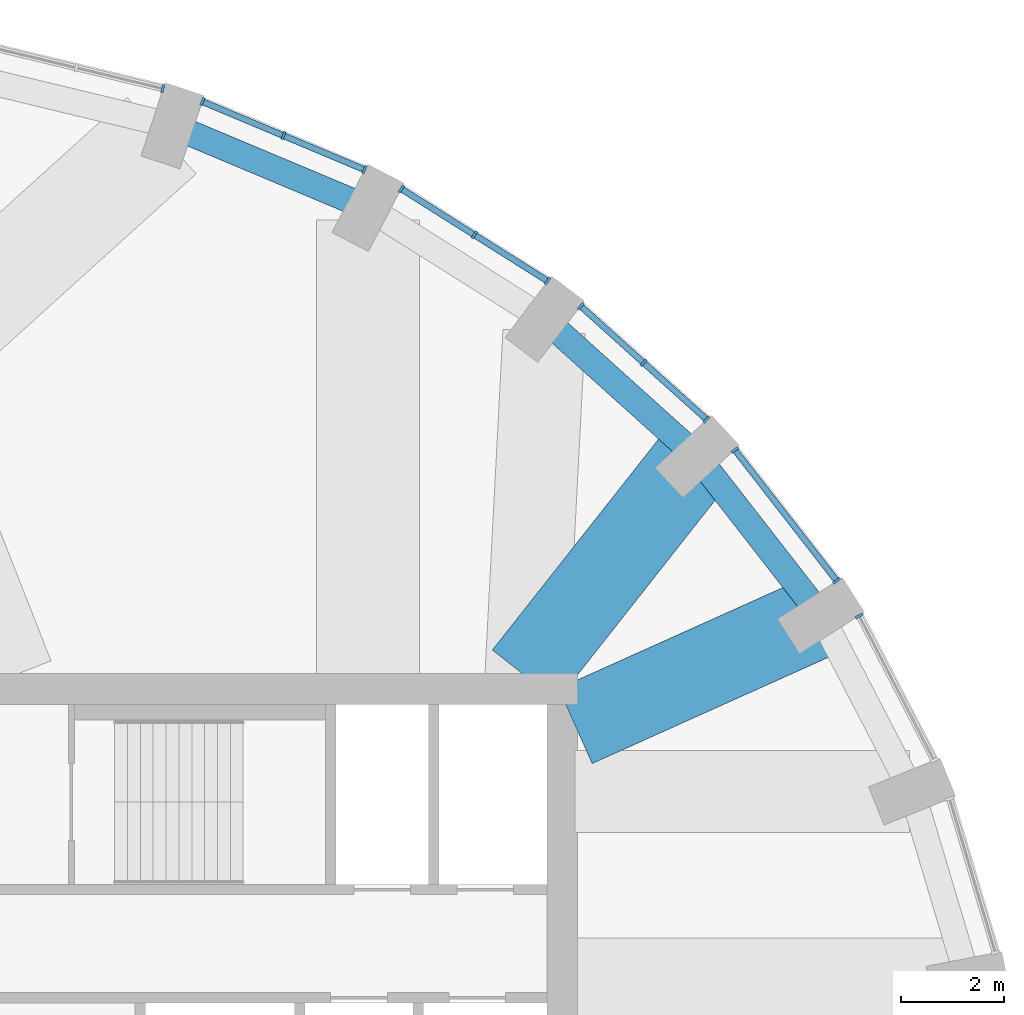
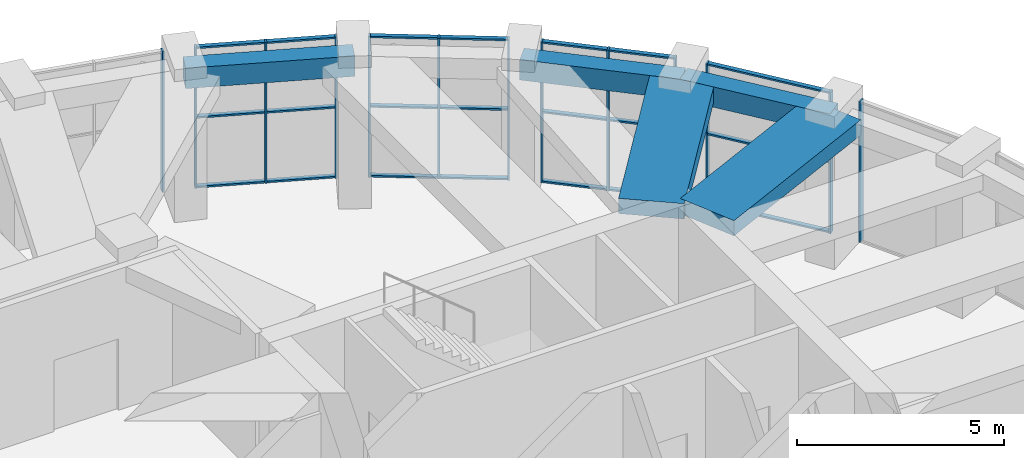
# One storey, part 10 of 17: 34 members, 5 beams, 6 elements without a shape of their own.
"""IFC4 building model written with IfcOpenShell, lengths in metres."""

from ifc_helpers import new_model, si_unit, direction, frame, origin, origin_2d, place, context, subcontext, project, spatial, rectangle, extrude, material, material_profile, profile_set, type_object, element, aggregate, save


model = new_model("IFC4")

# Units and contexts
model_context = context("Model", 3, precision=1e-05, world=origin(), true_north=direction((0.0, 1.0)))
body_context = subcontext(model_context, "Body", "Model", "MODEL_VIEW")
ifc_project = project(units=[si_unit("LENGTHUNIT", "METRE"), si_unit("AREAUNIT", "SQUARE_METRE"), si_unit("VOLUMEUNIT", "CUBIC_METRE"), si_unit("PLANEANGLEUNIT", "RADIAN"), si_unit("MASSUNIT", "GRAM", prefix="KILO")], contexts=[model_context])

# Site, building, storey
site_placement = place(None, origin())
site = spatial("IfcSite", under=ifc_project, at=site_placement, CompositionType="ELEMENT")
building_placement = place(site_placement, origin())
building = spatial("IfcBuilding", under=site, at=building_placement, Name="Taillehof Tower", CompositionType="ELEMENT")
storey_placement = place(building_placement, frame((0.0, 0.0, 259.699951171875)))
storey = spatial("IfcBuildingStorey", under=building, at=storey_placement, Name="L74", CompositionType="ELEMENT", Elevation=259.699951171875)

# Curtain wall, member
ifc_material_1 = material(Name="Aluminium curtain wall with Clear low-emissivity double glazing", Category="aluminium")
curtain_wall_type = type_object("IfcCurtainWallType", Name="Club lounge curtain wall", PredefinedType="USERDEFINED", material=ifc_material_1)
curtain_wall_1_placement = place(storey_placement, origin())
curtain_wall_1 = element("IfcCurtainWall", 1, at=curtain_wall_1_placement, inside=storey, type_object=curtain_wall_type, Name="Club lounge L74 bay 3", ObjectType="WINDOW WALL", PredefinedType="USERDEFINED")
ifc_material_2 = material(Name="Aluminium mullion", Category="aluminium")
ifc_material_profile_1 = material_profile(ifc_material_2, rectangle(XDim=0.159912109375, YDim=0.050048828125, at=origin_2d()), Name="AL 50x160")
ifc_profile_set_1 = profile_set([ifc_material_profile_1], Name="Aluminium mullion")
member_type_1 = type_object("IfcMemberType", Name="Club lounge mullion 50x160", PredefinedType="MULLION", material=ifc_profile_set_1)
member_1_placement = place(storey_placement, frame((21.470703125, 11.119140625, 0.0), z_axis=(0.0, 0.0, 1.0), x_axis=(-0.887975262702, -0.459891218474, 0.0)))
member_1 = element("IfcMember", 2, at=member_1_placement, type_object=member_type_1, Name="CT4E03 mullion 2", PredefinedType="MULLION", context=body_context, shape_type="SweptSolid", body=[
    extrude(rectangle(XDim=0.159912109375, YDim=0.050048828125, at=origin_2d()), origin(), (0.0, 0.0, 1.0), 4.150146484375),
])
aggregate(curtain_wall_1, [member_1])

# Curtain wall, members
curtain_wall_2_placement = place(storey_placement, origin())
curtain_wall_2 = element("IfcCurtainWall", 3, at=curtain_wall_2_placement, inside=storey, type_object=curtain_wall_type, Name="Club lounge L74 bay 4", ObjectType="WINDOW WALL", PredefinedType="USERDEFINED")
member_2_placement = place(storey_placement, frame((21.033935546875, 11.80126953125, 0.0), z_axis=(0.0, 0.0, 1.0), x_axis=(-0.789381612432, -0.613902818005, 0.0)))
member_2 = element("IfcMember", 4, at=member_2_placement, type_object=member_type_1, Name="CT4E04 mullion 1", PredefinedType="MULLION", context=body_context, shape_type="SweptSolid", body=[
    extrude(rectangle(XDim=0.159912109375, YDim=0.050048828125, at=origin_2d()), origin(), (0.0, 0.0, 1.0), 4.150146484375),
])
member_3_placement = place(storey_placement, frame((19.05615234375, 14.344482421875, 0.0), z_axis=(0.0, 0.0, 1.0), x_axis=(-0.789381612432, -0.613902818005, 0.0)))
member_3 = element("IfcMember", 5, at=member_3_placement, type_object=member_type_1, Name="CT4E04 mullion 2", PredefinedType="MULLION", context=body_context, shape_type="SweptSolid", body=[
    extrude(rectangle(XDim=0.159912109375, YDim=0.050048828125, at=origin_2d()), origin(), (0.0, 0.0, 1.0), 4.150146484375),
])

curtain_wall_3_placement = place(storey_placement, origin())
curtain_wall_3 = element("IfcCurtainWall", 6, at=curtain_wall_3_placement, inside=storey, type_object=curtain_wall_type, Name="Club lounge L74 bay 5", ObjectType="WINDOW WALL", PredefinedType="USERDEFINED")
member_4_placement = place(storey_placement, frame((18.50439453125, 14.937255859375, 0.0), z_axis=(0.0, 0.0, 1.0), x_axis=(-0.669107157872, -0.74316593792, 0.0)))
member_4 = element("IfcMember", 7, at=member_4_placement, type_object=member_type_1, Name="CT4E05 mullion 1", PredefinedType="MULLION", context=body_context, shape_type="SweptSolid", body=[
    extrude(rectangle(XDim=0.159912109375, YDim=0.050048828125, at=origin_2d()), origin(), (0.0, 0.0, 1.0), 4.150146484375),
])
member_5_placement = place(storey_placement, frame((17.281982421875, 16.0380859375, 0.0), z_axis=(0.0, 0.0, 1.0), x_axis=(-0.669107157872, -0.74316593792, 0.0)))
member_5 = element("IfcMember", 8, at=member_5_placement, type_object=member_type_1, Name="CT4E05 mullion 2", PredefinedType="MULLION", context=body_context, shape_type="SweptSolid", body=[
    extrude(rectangle(XDim=0.159912109375, YDim=0.050048828125, at=origin_2d()), origin(), (0.0, 0.0, 1.0), 4.150146484375),
])
member_6_placement = place(storey_placement, frame((16.0595703125, 17.138671875, 0.0), z_axis=(0.0, 0.0, 1.0), x_axis=(-0.669107157872, -0.74316593792, 0.0)))
member_6 = element("IfcMember", 9, at=member_6_placement, type_object=member_type_1, Name="CT4E05 mullion 3", PredefinedType="MULLION", context=body_context, shape_type="SweptSolid", body=[
    extrude(rectangle(XDim=0.159912109375, YDim=0.050048828125, at=origin_2d()), origin(), (0.0, 0.0, 1.0), 4.150146484375),
])

curtain_wall_4_placement = place(storey_placement, origin())
curtain_wall_4 = element("IfcCurtainWall", 10, at=curtain_wall_4_placement, inside=storey, type_object=curtain_wall_type, Name="Club lounge L74 bay 6", ObjectType="WINDOW WALL", PredefinedType="USERDEFINED")
member_7_placement = place(storey_placement, frame((15.41357421875, 17.62744140625, 0.0), z_axis=(0.0, 0.0, 1.0), x_axis=(-0.533294430468, -0.845929695916, 0.0)))
member_7 = element("IfcMember", 11, at=member_7_placement, type_object=member_type_1, Name="CT4E06 mullion 1", PredefinedType="MULLION", context=body_context, shape_type="SweptSolid", body=[
    extrude(rectangle(XDim=0.159912109375, YDim=0.050048828125, at=origin_2d()), origin(), (0.0, 0.0, 1.0), 4.150146484375),
])
member_8_placement = place(storey_placement, frame((13.99365234375, 18.5224609375, 0.0), z_axis=(0.0, 0.0, 1.0), x_axis=(-0.533294430468, -0.845929695916, 0.0)))
member_8 = element("IfcMember", 12, at=member_8_placement, type_object=member_type_1, Name="CT4E06 mullion 2", PredefinedType="MULLION", context=body_context, shape_type="SweptSolid", body=[
    extrude(rectangle(XDim=0.159912109375, YDim=0.050048828125, at=origin_2d()), origin(), (0.0, 0.0, 1.0), 4.150146484375),
])
member_9_placement = place(storey_placement, frame((12.57373046875, 19.417724609375, 0.0), z_axis=(0.0, 0.0, 1.0), x_axis=(-0.533294430468, -0.845929695916, 0.0)))
member_9 = element("IfcMember", 13, at=member_9_placement, type_object=member_type_1, Name="CT4E06 mullion 3", PredefinedType="MULLION", context=body_context, shape_type="SweptSolid", body=[
    extrude(rectangle(XDim=0.159912109375, YDim=0.050048828125, at=origin_2d()), origin(), (0.0, 0.0, 1.0), 4.150146484375),
])

curtain_wall_5_placement = place(storey_placement, origin())
curtain_wall_5 = element("IfcCurtainWall", 14, at=curtain_wall_5_placement, inside=storey, type_object=curtain_wall_type, Name="Club lounge L74 bay 7", ObjectType="WINDOW WALL", PredefinedType="USERDEFINED")
member_10_placement = place(storey_placement, frame((11.855224609375, 19.791748046875, 0.0), z_axis=(0.0, 0.0, 1.0), x_axis=(-0.387100713636, -0.922037438233, 0.0)))
member_10 = element("IfcMember", 15, at=member_10_placement, type_object=member_type_1, Name="CT4E07 mullion 1", PredefinedType="MULLION", context=body_context, shape_type="SweptSolid", body=[
    extrude(rectangle(XDim=0.159912109375, YDim=0.050048828125, at=origin_2d()), origin(), (0.0, 0.0, 1.0), 4.150146484375),
])
member_11_placement = place(storey_placement, frame((10.28076171875, 20.45263671875, 0.0), z_axis=(0.0, 0.0, 1.0), x_axis=(-0.387100713636, -0.922037438233, 0.0)))
member_11 = element("IfcMember", 16, at=member_11_placement, type_object=member_type_1, Name="CT4E07 mullion 2", PredefinedType="MULLION", context=body_context, shape_type="SweptSolid", body=[
    extrude(rectangle(XDim=0.159912109375, YDim=0.050048828125, at=origin_2d()), origin(), (0.0, 0.0, 1.0), 4.150146484375),
])
member_12_placement = place(storey_placement, frame((8.706298828125, 21.11376953125, 0.0), z_axis=(0.0, 0.0, 1.0), x_axis=(-0.387100713636, -0.922037438233, 0.0)))
member_12 = element("IfcMember", 17, at=member_12_placement, type_object=member_type_1, Name="CT4E07 mullion 3", PredefinedType="MULLION", context=body_context, shape_type="SweptSolid", body=[
    extrude(rectangle(XDim=0.159912109375, YDim=0.050048828125, at=origin_2d()), origin(), (0.0, 0.0, 1.0), 4.150146484375),
])

# Curtain wall, member
curtain_wall_6_placement = place(storey_placement, origin())
curtain_wall_6 = element("IfcCurtainWall", 18, at=curtain_wall_6_placement, inside=storey, type_object=curtain_wall_type, Name="Club lounge L74 bay 8", ObjectType="WINDOW WALL", PredefinedType="USERDEFINED")
member_13_placement = place(storey_placement, frame((7.9365234375, 21.366455078125, 0.0), z_axis=(0.0, 0.0, 1.0), x_axis=(-0.234514520129, -0.972112616855, 0.0)))
member_13 = element("IfcMember", 19, at=member_13_placement, type_object=member_type_1, Name="CT4E08 mullion 1", PredefinedType="MULLION", context=body_context, shape_type="SweptSolid", body=[
    extrude(rectangle(XDim=0.159912109375, YDim=0.050048828125, at=origin_2d()), origin(), (0.0, 0.0, 1.0), 4.150146484375),
])
aggregate(curtain_wall_6, [member_13])

# Member
ifc_material_3 = material(Name="Aluminium transom", Category="aluminium")
ifc_material_profile_2 = material_profile(ifc_material_3, rectangle(XDim=0.1201171875, YDim=0.050048828125, at=origin_2d()), Name="AL 120x50")
ifc_profile_set_2 = profile_set([ifc_material_profile_2], Name="Aluminium transom")
member_type_2 = type_object("IfcMemberType", Name="Club lounge transom 120x50", PredefinedType="USERDEFINED", material=ifc_profile_set_2)
member_14_placement = place(storey_placement, frame((21.0185546875, 11.821044921875, 0.025146484375), z_axis=(-0.613887320716, 0.789393664444, 0.0), x_axis=(-0.789393664444, -0.613887320716, 0.0)))
member_14 = element("IfcMember", 20, at=member_14_placement, type_object=member_type_2, Name="CT4E04 transom 1.1", ObjectType="TRANSOM", PredefinedType="USERDEFINED", context=body_context, shape_type="SweptSolid", body=[
    extrude(rectangle(XDim=0.1201171875, YDim=0.050048828125, at=origin_2d()), origin(), (0.0, 0.0, 1.0), 3.171630859375),
])

member_15_placement = place(storey_placement, frame((21.0185546875, 11.821044921875, 2.074951171875), z_axis=(-0.613887320716, 0.789393664444, 0.0), x_axis=(-0.789393664444, -0.613887320716, 0.0)))
member_15 = element("IfcMember", 21, at=member_15_placement, type_object=member_type_2, Name="CT4E04 transom 1.2", ObjectType="TRANSOM", PredefinedType="USERDEFINED", context=body_context, shape_type="SweptSolid", body=[
    extrude(rectangle(XDim=0.1201171875, YDim=0.050048828125, at=origin_2d()), origin(), (0.0, 0.0, 1.0), 3.171630859375),
])

member_16_placement = place(storey_placement, frame((21.0185546875, 11.821044921875, 4.125), z_axis=(-0.613887320716, 0.789393664444, 0.0), x_axis=(-0.789393664444, -0.613887320716, 0.0)))
member_16 = element("IfcMember", 22, at=member_16_placement, type_object=member_type_2, Name="CT4E04 transom 1.3", ObjectType="TRANSOM", PredefinedType="USERDEFINED", context=body_context, shape_type="SweptSolid", body=[
    extrude(rectangle(XDim=0.1201171875, YDim=0.050048828125, at=origin_2d()), origin(), (0.0, 0.0, 1.0), 3.171630859375),
])

aggregate(curtain_wall_2, [member_2, member_3, member_14, member_15, member_16])

member_17_placement = place(storey_placement, frame((18.48583984375, 14.9541015625, 0.025146484375), z_axis=(-0.743179963332, 0.669091579757, 0.0), x_axis=(-0.669091579757, -0.743179963332, 0.0)))
member_17 = element("IfcMember", 23, at=member_17_placement, type_object=member_type_2, Name="CT4E05 transom 1.1", ObjectType="TRANSOM", PredefinedType="USERDEFINED", context=body_context, shape_type="SweptSolid", body=[
    extrude(rectangle(XDim=0.1201171875, YDim=0.050048828125, at=origin_2d()), origin(), (0.0, 0.0, 1.0), 1.594970703125),
])

member_18_placement = place(storey_placement, frame((18.48583984375, 14.9541015625, 2.074951171875), z_axis=(-0.743179963332, 0.669091579757, 0.0), x_axis=(-0.669091579757, -0.743179963332, 0.0)))
member_18 = element("IfcMember", 24, at=member_18_placement, type_object=member_type_2, Name="CT4E05 transom 1.2", ObjectType="TRANSOM", PredefinedType="USERDEFINED", context=body_context, shape_type="SweptSolid", body=[
    extrude(rectangle(XDim=0.1201171875, YDim=0.050048828125, at=origin_2d()), origin(), (0.0, 0.0, 1.0), 1.594970703125),
])

member_19_placement = place(storey_placement, frame((18.48583984375, 14.9541015625, 4.125), z_axis=(-0.743179963332, 0.669091579757, 0.0), x_axis=(-0.669091579757, -0.743179963332, 0.0)))
member_19 = element("IfcMember", 25, at=member_19_placement, type_object=member_type_2, Name="CT4E05 transom 1.3", ObjectType="TRANSOM", PredefinedType="USERDEFINED", context=body_context, shape_type="SweptSolid", body=[
    extrude(rectangle(XDim=0.1201171875, YDim=0.050048828125, at=origin_2d()), origin(), (0.0, 0.0, 1.0), 1.594970703125),
])

member_20_placement = place(storey_placement, frame((17.263427734375, 16.0546875, 0.025146484375), z_axis=(-0.743179963332, 0.669091579757, 0.0), x_axis=(-0.669091579757, -0.743179963332, 0.0)))
member_20 = element("IfcMember", 26, at=member_20_placement, type_object=member_type_2, Name="CT4E05 transom 2.1", ObjectType="TRANSOM", PredefinedType="USERDEFINED", context=body_context, shape_type="SweptSolid", body=[
    extrude(rectangle(XDim=0.1201171875, YDim=0.050048828125, at=origin_2d()), origin(), (0.0, 0.0, 1.0), 1.594970703125),
])

member_21_placement = place(storey_placement, frame((17.263427734375, 16.0546875, 2.074951171875), z_axis=(-0.743179963332, 0.669091579757, 0.0), x_axis=(-0.669091579757, -0.743179963332, 0.0)))
member_21 = element("IfcMember", 27, at=member_21_placement, type_object=member_type_2, Name="CT4E05 transom 2.2", ObjectType="TRANSOM", PredefinedType="USERDEFINED", context=body_context, shape_type="SweptSolid", body=[
    extrude(rectangle(XDim=0.1201171875, YDim=0.050048828125, at=origin_2d()), origin(), (0.0, 0.0, 1.0), 1.594970703125),
])

member_22_placement = place(storey_placement, frame((17.263427734375, 16.0546875, 4.125), z_axis=(-0.743179963332, 0.669091579757, 0.0), x_axis=(-0.669091579757, -0.743179963332, 0.0)))
member_22 = element("IfcMember", 28, at=member_22_placement, type_object=member_type_2, Name="CT4E05 transom 2.3", ObjectType="TRANSOM", PredefinedType="USERDEFINED", context=body_context, shape_type="SweptSolid", body=[
    extrude(rectangle(XDim=0.1201171875, YDim=0.050048828125, at=origin_2d()), origin(), (0.0, 0.0, 1.0), 1.594970703125),
])

aggregate(curtain_wall_3, [member_4, member_5, member_6, member_17, member_18, member_19, member_20, member_21, member_22])

member_23_placement = place(storey_placement, frame((15.392578125, 17.640625, 0.025146484375), z_axis=(-0.845894728647, 0.533349892704, 0.0), x_axis=(-0.533349892704, -0.845894728647, 0.0)))
member_23 = element("IfcMember", 29, at=member_23_placement, type_object=member_type_2, Name="CT4E06 transom 1.1", ObjectType="TRANSOM", PredefinedType="USERDEFINED", context=body_context, shape_type="SweptSolid", body=[
    extrude(rectangle(XDim=0.1201171875, YDim=0.050048828125, at=origin_2d()), origin(), (0.0, 0.0, 1.0), 1.628662109375),
])

member_24_placement = place(storey_placement, frame((15.392578125, 17.640625, 2.074951171875), z_axis=(-0.845894728647, 0.533349892704, 0.0), x_axis=(-0.533349892704, -0.845894728647, 0.0)))
member_24 = element("IfcMember", 30, at=member_24_placement, type_object=member_type_2, Name="CT4E06 transom 1.2", ObjectType="TRANSOM", PredefinedType="USERDEFINED", context=body_context, shape_type="SweptSolid", body=[
    extrude(rectangle(XDim=0.1201171875, YDim=0.050048828125, at=origin_2d()), origin(), (0.0, 0.0, 1.0), 1.628662109375),
])

member_25_placement = place(storey_placement, frame((15.392578125, 17.640625, 4.125), z_axis=(-0.845894728647, 0.533349892704, 0.0), x_axis=(-0.533349892704, -0.845894728647, 0.0)))
member_25 = element("IfcMember", 31, at=member_25_placement, type_object=member_type_2, Name="CT4E06 transom 1.3", ObjectType="TRANSOM", PredefinedType="USERDEFINED", context=body_context, shape_type="SweptSolid", body=[
    extrude(rectangle(XDim=0.1201171875, YDim=0.050048828125, at=origin_2d()), origin(), (0.0, 0.0, 1.0), 1.628662109375),
])

member_26_placement = place(storey_placement, frame((13.97265625, 18.535888671875, 0.025146484375), z_axis=(-0.845962356538, 0.533242619565, 0.0), x_axis=(-0.533242619565, -0.845962356538, 0.0)))
member_26 = element("IfcMember", 32, at=member_26_placement, type_object=member_type_2, Name="CT4E06 transom 2.1", ObjectType="TRANSOM", PredefinedType="USERDEFINED", context=body_context, shape_type="SweptSolid", body=[
    extrude(rectangle(XDim=0.1201171875, YDim=0.050048828125, at=origin_2d()), origin(), (0.0, 0.0, 1.0), 1.628662109375),
])

member_27_placement = place(storey_placement, frame((13.97265625, 18.535888671875, 2.074951171875), z_axis=(-0.845962356538, 0.533242619565, 0.0), x_axis=(-0.533242619565, -0.845962356538, 0.0)))
member_27 = element("IfcMember", 33, at=member_27_placement, type_object=member_type_2, Name="CT4E06 transom 2.2", ObjectType="TRANSOM", PredefinedType="USERDEFINED", context=body_context, shape_type="SweptSolid", body=[
    extrude(rectangle(XDim=0.1201171875, YDim=0.050048828125, at=origin_2d()), origin(), (0.0, 0.0, 1.0), 1.628662109375),
])

member_28_placement = place(storey_placement, frame((13.97265625, 18.535888671875, 4.125), z_axis=(-0.845962356538, 0.533242619565, 0.0), x_axis=(-0.533242619565, -0.845962356538, 0.0)))
member_28 = element("IfcMember", 34, at=member_28_placement, type_object=member_type_2, Name="CT4E06 transom 2.3", ObjectType="TRANSOM", PredefinedType="USERDEFINED", context=body_context, shape_type="SweptSolid", body=[
    extrude(rectangle(XDim=0.1201171875, YDim=0.050048828125, at=origin_2d()), origin(), (0.0, 0.0, 1.0), 1.628662109375),
])

aggregate(curtain_wall_4, [member_7, member_8, member_9, member_23, member_24, member_25, member_26, member_27, member_28])

member_29_placement = place(storey_placement, frame((11.832275390625, 19.80126953125, 0.025146484375), z_axis=(-0.922014699526, 0.387154870636, 0.0), x_axis=(-0.387154870636, -0.922014699526, 0.0)))
member_29 = element("IfcMember", 35, at=member_29_placement, type_object=member_type_2, Name="CT4E07 transom 1.1", ObjectType="TRANSOM", PredefinedType="USERDEFINED", context=body_context, shape_type="SweptSolid", body=[
    extrude(rectangle(XDim=0.1201171875, YDim=0.050048828125, at=origin_2d()), origin(), (0.0, 0.0, 1.0), 1.657958984375),
])

member_30_placement = place(storey_placement, frame((11.832275390625, 19.80126953125, 2.074951171875), z_axis=(-0.922014699526, 0.387154870636, 0.0), x_axis=(-0.387154870636, -0.922014699526, 0.0)))
member_30 = element("IfcMember", 36, at=member_30_placement, type_object=member_type_2, Name="CT4E07 transom 1.2", ObjectType="TRANSOM", PredefinedType="USERDEFINED", context=body_context, shape_type="SweptSolid", body=[
    extrude(rectangle(XDim=0.1201171875, YDim=0.050048828125, at=origin_2d()), origin(), (0.0, 0.0, 1.0), 1.657958984375),
])

member_31_placement = place(storey_placement, frame((11.832275390625, 19.80126953125, 4.125), z_axis=(-0.922014699526, 0.387154870636, 0.0), x_axis=(-0.387154870636, -0.922014699526, 0.0)))
member_31 = element("IfcMember", 37, at=member_31_placement, type_object=member_type_2, Name="CT4E07 transom 1.3", ObjectType="TRANSOM", PredefinedType="USERDEFINED", context=body_context, shape_type="SweptSolid", body=[
    extrude(rectangle(XDim=0.1201171875, YDim=0.050048828125, at=origin_2d()), origin(), (0.0, 0.0, 1.0), 1.657958984375),
])

member_32_placement = place(storey_placement, frame((10.2578125, 20.46240234375, 0.025146484375), z_axis=(-0.922067261449, 0.387029669875, 0.0), x_axis=(-0.387029669875, -0.922067261449, 0.0)))
member_32 = element("IfcMember", 38, at=member_32_placement, type_object=member_type_2, Name="CT4E07 transom 2.1", ObjectType="TRANSOM", PredefinedType="USERDEFINED", context=body_context, shape_type="SweptSolid", body=[
    extrude(rectangle(XDim=0.1201171875, YDim=0.050048828125, at=origin_2d()), origin(), (0.0, 0.0, 1.0), 1.65771484375),
])

member_33_placement = place(storey_placement, frame((10.2578125, 20.46240234375, 2.074951171875), z_axis=(-0.922067261449, 0.387029669875, 0.0), x_axis=(-0.387029669875, -0.922067261449, 0.0)))
member_33 = element("IfcMember", 39, at=member_33_placement, type_object=member_type_2, Name="CT4E07 transom 2.2", ObjectType="TRANSOM", PredefinedType="USERDEFINED", context=body_context, shape_type="SweptSolid", body=[
    extrude(rectangle(XDim=0.1201171875, YDim=0.050048828125, at=origin_2d()), origin(), (0.0, 0.0, 1.0), 1.65771484375),
])

member_34_placement = place(storey_placement, frame((10.2578125, 20.46240234375, 4.125), z_axis=(-0.922067261449, 0.387029669875, 0.0), x_axis=(-0.387029669875, -0.922067261449, 0.0)))
member_34 = element("IfcMember", 40, at=member_34_placement, type_object=member_type_2, Name="CT4E07 transom 2.3", ObjectType="TRANSOM", PredefinedType="USERDEFINED", context=body_context, shape_type="SweptSolid", body=[
    extrude(rectangle(XDim=0.1201171875, YDim=0.050048828125, at=origin_2d()), origin(), (0.0, 0.0, 1.0), 1.65771484375),
])

aggregate(curtain_wall_5, [member_10, member_11, member_12, member_29, member_30, member_31, member_32, member_33, member_34])

# Beams
ifc_material_4 = material(Name="Concrete C50/60", Category="concrete")
ifc_material_profile_3 = material_profile(ifc_material_4, rectangle(XDim=1.60009765625, YDim=0.449951171875, at=origin_2d()), Name="RC 1600x450")
ifc_profile_set_3 = profile_set([ifc_material_profile_3], Name="Concrete C50/60")
beam_type_1 = type_object("IfcBeamType", Name="Radial band beam C50/60 1600x450", PredefinedType="BEAM", material=ifc_profile_set_3)
beam_1_placement = place(storey_placement, frame((20.72802734375, 11.125, 3.925048828125), z_axis=(-0.912110813011, -0.409943733685, 0.0), x_axis=(0.409943733685, -0.912110813011, 0.0)))
element("IfcBeam", 41, at=beam_1_placement, inside=storey, type_object=beam_type_1, Name="Radial band beam RB04", PredefinedType="BEAM", context=body_context, shape_type="SweptSolid", body=[
    extrude(rectangle(XDim=1.60009765625, YDim=0.449951171875, at=origin_2d()), origin(), (0.0, 0.0, 1.0), 5.233642578125),
])
beam_2_placement = place(storey_placement, frame((18.323486328125, 14.21630859375, 3.925048828125), z_axis=(-0.619052480422, -0.785349620541, 0.0), x_axis=(0.785349620541, -0.619052480422, 0.0)))
element("IfcBeam", 42, at=beam_2_placement, inside=storey, type_object=beam_type_1, Name="Radial band beam RB05", PredefinedType="BEAM", context=body_context, shape_type="SweptSolid", body=[
    extrude(rectangle(XDim=1.60009765625, YDim=0.449951171875, at=origin_2d()), origin(), (0.0, 0.0, 1.0), 5.418701171875),
])
ifc_material_5 = material(Name="Concrete C50/60", Category="concrete")
ifc_material_profile_4 = material_profile(ifc_material_5, rectangle(XDim=0.5, YDim=0.60009765625, at=origin_2d()), Name="RC 500x600")
ifc_profile_set_4 = profile_set([ifc_material_profile_4], Name="Concrete C50/60")
beam_type_2 = type_object("IfcBeamType", Name="Spandrel beam C50/60 500x600", PredefinedType="SPANDREL", material=ifc_profile_set_4)
beam_3_placement = place(storey_placement, frame((20.72802734375, 11.125, 3.85009765625), z_axis=(-0.613970823209, 0.78932872002, 0.0), x_axis=(-0.78932872002, -0.613970823209, 0.0)))
element("IfcBeam", 43, at=beam_3_placement, inside=storey, type_object=beam_type_2, Name="Spandrel beam SB04", PredefinedType="SPANDREL", context=body_context, shape_type="SweptSolid", body=[
    extrude(rectangle(XDim=0.5, YDim=0.60009765625, at=origin_2d()), origin(), (0.0, 0.0, 1.0), 3.916259765625),
])
beam_4_placement = place(storey_placement, frame((18.323486328125, 14.21630859375, 3.85009765625), z_axis=(-0.743227182134, 0.669039128704, 0.0), x_axis=(-0.669039128704, -0.743227182134, 0.0)))
element("IfcBeam", 44, at=beam_4_placement, inside=storey, type_object=beam_type_2, Name="Spandrel beam SB05", PredefinedType="SPANDREL", context=body_context, shape_type="SweptSolid", body=[
    extrude(rectangle(XDim=0.5, YDim=0.60009765625, at=origin_2d()), origin(), (0.0, 0.0, 1.0), 3.988525390625),
])
beam_5_placement = place(storey_placement, frame((11.925048828125, 19.049560546875, 3.85009765625), z_axis=(-0.922076419735, 0.387007850267, 0.0), x_axis=(-0.387007850267, -0.922076419735, 0.0)))
element("IfcBeam", 45, at=beam_5_placement, inside=storey, type_object=beam_type_2, Name="Spandrel beam SB07", PredefinedType="SPANDREL", context=body_context, shape_type="SweptSolid", body=[
    extrude(rectangle(XDim=0.5, YDim=0.60009765625, at=origin_2d()), origin(), (0.0, 0.0, 1.0), 4.12060546875),
])

save(model, "model.ifc")
